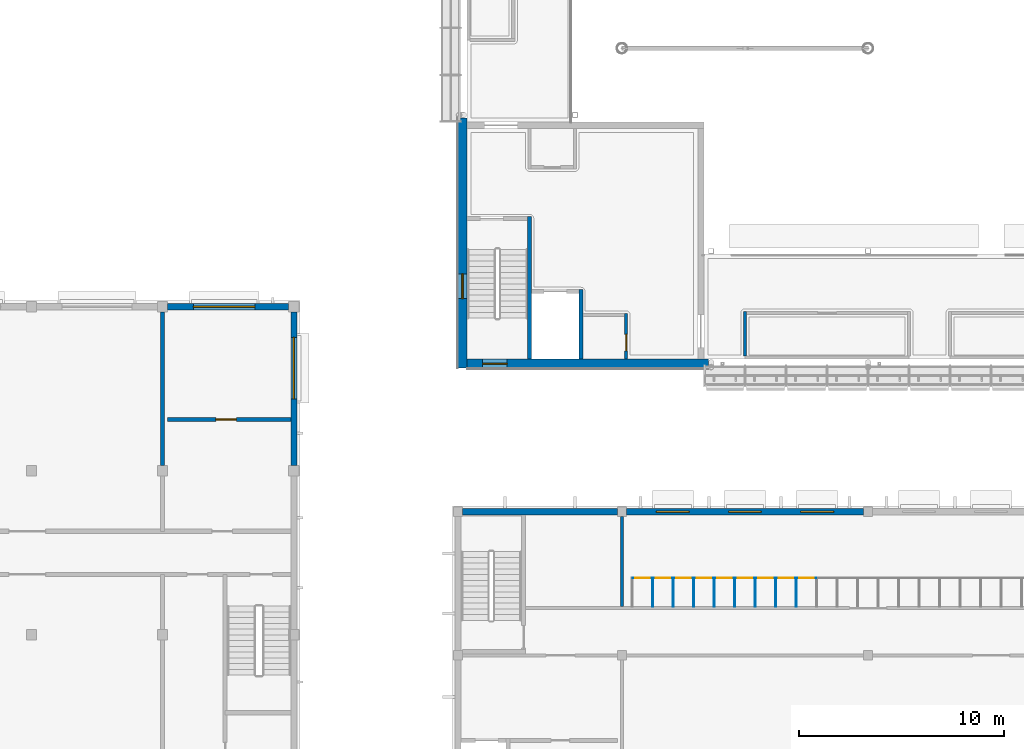
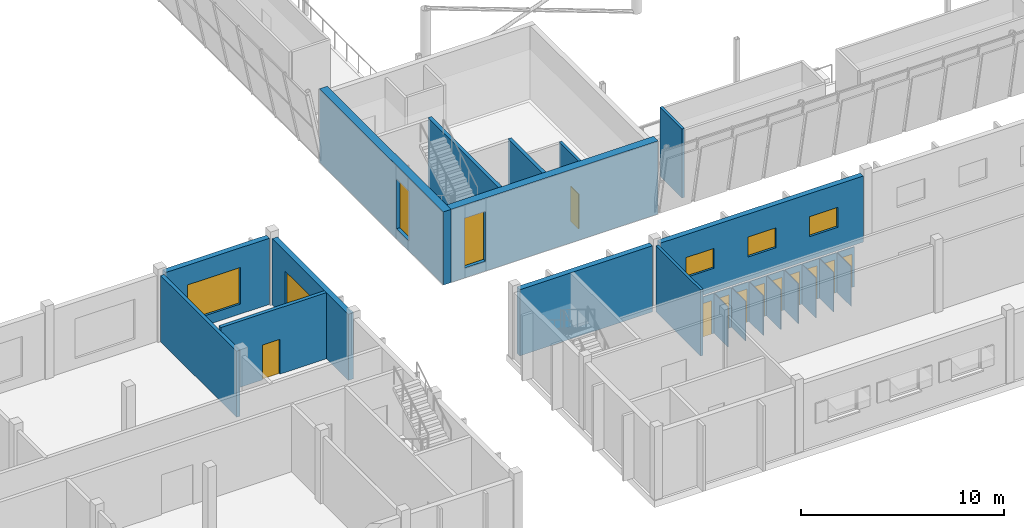
# One storey, part 61 of 115: 30 walls, 11 doors, 7 windows, 18 openings.
"""IFC4 building model written with IfcOpenShell, lengths in metres."""

from ifc_helpers import new_model, si_unit, direction, frame, frame_2d, origin, place, context, subcontext, project, spatial, rectangle, extrude, material, layer, layer_set, type_object, element, fill, save


model = new_model("IFC4")

# Units and contexts
model_context = context("Model", 3, precision=1e-05, world=origin(), true_north=direction((0.0, 1.0)))
body_context = subcontext(model_context, "Body", "Model", "MODEL_VIEW")
ifc_project = project(units=[si_unit("LENGTHUNIT", "METRE"), si_unit("AREAUNIT", "SQUARE_METRE"), si_unit("VOLUMEUNIT", "CUBIC_METRE"), si_unit("PLANEANGLEUNIT", "RADIAN"), si_unit("MASSUNIT", "GRAM", prefix="KILO")], contexts=[model_context])

# Site, building, storey
site_placement = place(None, origin())
site = spatial("IfcSite", under=ifc_project, at=site_placement, CompositionType="ELEMENT")
building_placement = place(site_placement, origin())
building = spatial("IfcBuilding", under=site, at=building_placement, Name="Windward Yard Aquatics Centre", CompositionType="ELEMENT")
storey_placement = place(building_placement, frame((0.0, 0.0, 5.0)))
storey = spatial("IfcBuildingStorey", under=building, at=storey_placement, Name="L01", CompositionType="ELEMENT", Elevation=5.0)

# Walls
ifc_material_1 = material(Name="Concrete masonry unit plastered", Category="masonry")
ifc_layer_1 = layer(ifc_material_1, 0.14990234375)
ifc_layer_set_1 = layer_set([ifc_layer_1], Name="C block partition 150")
wall_type_1 = type_object("IfcWallType", Name="C block partition 150", PredefinedType="PARTITIONING", material=ifc_layer_set_1)
wall_1_placement = place(storey_placement, frame((60.0, 14.375, 0.0), z_axis=(0.0, 0.0, 1.0), x_axis=(0.0, 1.0, 0.0)))
element("IfcWall", 1, at=wall_1_placement, inside=storey, type_object=wall_type_1, Name="C.W.L01.ND.8.1", PredefinedType="PARTITIONING", context=body_context, shape_type="SweptSolid", body=[
    extrude(rectangle(XDim=4.39990234375, YDim=0.14990234375, at=frame_2d((2.199951171875, 0.0))), origin(), (0.0, 0.0, 1.0), 3.97998046875),
])
ifc_material_2 = material(Name="High-pressure laminate panel on stainless frame")
ifc_layer_2 = layer(ifc_material_2, 0.0400390625)
ifc_layer_set_2 = layer_set([ifc_layer_2], Name="C cubicle panel 40")
wall_type_2 = type_object("IfcWallType", Name="C cubicle panel 40", PredefinedType="PARTITIONING", material=ifc_layer_set_2)
for number, where, z_axis, x_axis, name in (
    (2, (61.5, 14.375, 0.0), (0.0, 0.0, 1.0), (0.0, 1.0, 0.0), "C.W.L01.E.P1"),
    (3, (62.5, 14.375, 0.0), (0.0, 0.0, 1.0), (0.0, 1.0, 0.0), "C.W.L01.E.P2"),
    (4, (63.5, 14.375, 0.0), (0.0, 0.0, 1.0), (0.0, 1.0, 0.0), "C.W.L01.E.P3"),
    (5, (64.5, 14.375, 0.0), (0.0, 0.0, 1.0), (0.0, 1.0, 0.0), "C.W.L01.E.P4"),
    (6, (65.5, 14.375, 0.0), (0.0, 0.0, 1.0), (0.0, 1.0, 0.0), "C.W.L01.E.P5"),
    (7, (66.5, 14.375, 0.0), (0.0, 0.0, 1.0), (0.0, 1.0, 0.0), "C.W.L01.E.P6"),
    (8, (67.5, 14.375, 0.0), (0.0, 0.0, 1.0), (0.0, 1.0, 0.0), "C.W.L01.E.P7"),
    (9, (68.5, 14.375, 0.0), (0.0, 0.0, 1.0), (0.0, 1.0, 0.0), "C.W.L01.E.P8"),
):
    element("IfcWall", number, at=place(storey_placement, frame(where, z_axis=z_axis, x_axis=x_axis)), inside=storey, type_object=wall_type_2, Name=name, PredefinedType="PARTITIONING", context=body_context, shape_type="SweptSolid", body=[
        extrude(rectangle(XDim=1.39990234375, YDim=0.0400390625, at=frame_2d((0.699951171875, 0.0))), origin(), (0.0, 0.0, 1.0), 2.39990234375),
    ])

# Wall, opening, door
wall_2_placement = place(storey_placement, frame((60.52001953125, 15.77490234375, 0.0), z_axis=(0.0, 0.0, 1.0), x_axis=(1.0, 0.0, 0.0)))
wall_2 = element("IfcWall", 10, at=wall_2_placement, inside=storey, type_object=wall_type_2, Name="C.W.L01.E.F0", PredefinedType="PARTITIONING", context=body_context, shape_type="SweptSolid", body=[
    extrude(rectangle(XDim=0.9599609375, YDim=0.0400390625, at=frame_2d((0.47998046875, 0.0))), origin(), (0.0, 0.0, 1.0), 2.39990234375),
])
opening_1_placement = place(wall_2_placement, frame((0.1298828125, 0.0, 0.0)))
opening_1 = element("IfcOpeningElement", 11, at=opening_1_placement, cuts=wall_2, Name="Opening C1051", PredefinedType="OPENING", context=body_context, shape_type="SweptSolid", body=[
    extrude(rectangle(XDim=0.699951171875, YDim=2.0, at=frame_2d((0.35009765625, 1.0))), frame((0.0, 0.030029296875, 0.0), z_axis=(0.0, -1.0, 0.0), x_axis=(1.0, 0.0, 0.0)), (0.0, 0.0, 1.0), 0.06005859375),
])
ifc_material_3 = material(Name="High-pressure laminate door leaf")
door_type_1 = type_object("IfcDoorType", Name="C door 700X2000 NOT RATED", OperationType="SINGLE_SWING_LEFT", PredefinedType="DOOR", material=ifc_material_3)
door_1_placement = place(opening_1_placement, origin())
door_1 = element("IfcDoor", 12, at=door_1_placement, inside=storey, type_object=door_type_1, Name="Cubicle door E1", OperationType="SINGLE_SWING_LEFT", OverallHeight=2.0, OverallWidth=0.699951171875, PredefinedType="DOOR", context=body_context, shape_type="SweptSolid", body=[
    extrude(rectangle(XDim=0.699951171875, YDim=2.0, at=frame_2d((0.35009765625, 1.0))), frame((0.0, 0.019775390625, 0.0), z_axis=(0.0, -1.0, 0.0), x_axis=(1.0, 0.0, 0.0)), (0.0, 0.0, 1.0), 0.03955078125),
])
fill(opening_1, door_1)

wall_3_placement = place(storey_placement, frame((61.52001953125, 15.77490234375, 0.0), z_axis=(0.0, 0.0, 1.0), x_axis=(1.0, 0.0, 0.0)))
wall_3 = element("IfcWall", 13, at=wall_3_placement, inside=storey, type_object=wall_type_2, Name="C.W.L01.E.F1", PredefinedType="PARTITIONING", context=body_context, shape_type="SweptSolid", body=[
    extrude(rectangle(XDim=0.9599609375, YDim=0.0400390625, at=frame_2d((0.47998046875, 0.0))), origin(), (0.0, 0.0, 1.0), 2.39990234375),
])
opening_2_placement = place(wall_3_placement, frame((0.1298828125, 0.0, 0.0)))
opening_2 = element("IfcOpeningElement", 14, at=opening_2_placement, cuts=wall_3, Name="Opening C1052", PredefinedType="OPENING", context=body_context, shape_type="SweptSolid", body=[
    extrude(rectangle(XDim=0.699951171875, YDim=2.0, at=frame_2d((0.35009765625, 1.0))), frame((0.0, 0.030029296875, 0.0), z_axis=(0.0, -1.0, 0.0), x_axis=(1.0, 0.0, 0.0)), (0.0, 0.0, 1.0), 0.06005859375),
])
door_2_placement = place(opening_2_placement, origin())
door_2 = element("IfcDoor", 15, at=door_2_placement, inside=storey, type_object=door_type_1, Name="Cubicle door E2", OperationType="SINGLE_SWING_LEFT", OverallHeight=2.0, OverallWidth=0.699951171875, PredefinedType="DOOR", context=body_context, shape_type="SweptSolid", body=[
    extrude(rectangle(XDim=0.699951171875, YDim=2.0, at=frame_2d((0.35009765625, 1.0))), frame((0.0, 0.019775390625, 0.0), z_axis=(0.0, -1.0, 0.0), x_axis=(1.0, 0.0, 0.0)), (0.0, 0.0, 1.0), 0.03955078125),
])
fill(opening_2, door_2)

wall_4_placement = place(storey_placement, frame((62.52001953125, 15.77490234375, 0.0), z_axis=(0.0, 0.0, 1.0), x_axis=(1.0, 0.0, 0.0)))
wall_4 = element("IfcWall", 16, at=wall_4_placement, inside=storey, type_object=wall_type_2, Name="C.W.L01.E.F2", PredefinedType="PARTITIONING", context=body_context, shape_type="SweptSolid", body=[
    extrude(rectangle(XDim=0.9599609375, YDim=0.0400390625, at=frame_2d((0.47998046875, 0.0))), origin(), (0.0, 0.0, 1.0), 2.39990234375),
])
opening_3_placement = place(wall_4_placement, frame((0.1298828125, 0.0, 0.0)))
opening_3 = element("IfcOpeningElement", 17, at=opening_3_placement, cuts=wall_4, Name="Opening C1053", PredefinedType="OPENING", context=body_context, shape_type="SweptSolid", body=[
    extrude(rectangle(XDim=0.699951171875, YDim=2.0, at=frame_2d((0.35009765625, 1.0))), frame((0.0, 0.030029296875, 0.0), z_axis=(0.0, -1.0, 0.0), x_axis=(1.0, 0.0, 0.0)), (0.0, 0.0, 1.0), 0.06005859375),
])
door_3_placement = place(opening_3_placement, origin())
door_3 = element("IfcDoor", 18, at=door_3_placement, inside=storey, type_object=door_type_1, Name="Cubicle door E3", OperationType="SINGLE_SWING_LEFT", OverallHeight=2.0, OverallWidth=0.699951171875, PredefinedType="DOOR", context=body_context, shape_type="SweptSolid", body=[
    extrude(rectangle(XDim=0.699951171875, YDim=2.0, at=frame_2d((0.35009765625, 1.0))), frame((0.0, 0.019775390625, 0.0), z_axis=(0.0, -1.0, 0.0), x_axis=(1.0, 0.0, 0.0)), (0.0, 0.0, 1.0), 0.03955078125),
])
fill(opening_3, door_3)

wall_5_placement = place(storey_placement, frame((63.52001953125, 15.77490234375, 0.0), z_axis=(0.0, 0.0, 1.0), x_axis=(1.0, 0.0, 0.0)))
wall_5 = element("IfcWall", 19, at=wall_5_placement, inside=storey, type_object=wall_type_2, Name="C.W.L01.E.F3", PredefinedType="PARTITIONING", context=body_context, shape_type="SweptSolid", body=[
    extrude(rectangle(XDim=0.9599609375, YDim=0.0400390625, at=frame_2d((0.47998046875, 0.0))), origin(), (0.0, 0.0, 1.0), 2.39990234375),
])
opening_4_placement = place(wall_5_placement, frame((0.1298828125, 0.0, 0.0)))
opening_4 = element("IfcOpeningElement", 20, at=opening_4_placement, cuts=wall_5, Name="Opening C1054", PredefinedType="OPENING", context=body_context, shape_type="SweptSolid", body=[
    extrude(rectangle(XDim=0.699951171875, YDim=2.0, at=frame_2d((0.35009765625, 1.0))), frame((0.0, 0.030029296875, 0.0), z_axis=(0.0, -1.0, 0.0), x_axis=(1.0, 0.0, 0.0)), (0.0, 0.0, 1.0), 0.06005859375),
])
door_4_placement = place(opening_4_placement, origin())
door_4 = element("IfcDoor", 21, at=door_4_placement, inside=storey, type_object=door_type_1, Name="Cubicle door E4", OperationType="SINGLE_SWING_LEFT", OverallHeight=2.0, OverallWidth=0.699951171875, PredefinedType="DOOR", context=body_context, shape_type="SweptSolid", body=[
    extrude(rectangle(XDim=0.699951171875, YDim=2.0, at=frame_2d((0.35009765625, 1.0))), frame((0.0, 0.019775390625, 0.0), z_axis=(0.0, -1.0, 0.0), x_axis=(1.0, 0.0, 0.0)), (0.0, 0.0, 1.0), 0.03955078125),
])
fill(opening_4, door_4)

wall_6_placement = place(storey_placement, frame((64.52001953125, 15.77490234375, 0.0), z_axis=(0.0, 0.0, 1.0), x_axis=(1.0, 0.0, 0.0)))
wall_6 = element("IfcWall", 22, at=wall_6_placement, inside=storey, type_object=wall_type_2, Name="C.W.L01.E.F4", PredefinedType="PARTITIONING", context=body_context, shape_type="SweptSolid", body=[
    extrude(rectangle(XDim=0.9599609375, YDim=0.0400390625, at=frame_2d((0.47998046875, 0.0))), origin(), (0.0, 0.0, 1.0), 2.39990234375),
])
opening_5_placement = place(wall_6_placement, frame((0.1298828125, 0.0, 0.0)))
opening_5 = element("IfcOpeningElement", 23, at=opening_5_placement, cuts=wall_6, Name="Opening C1055", PredefinedType="OPENING", context=body_context, shape_type="SweptSolid", body=[
    extrude(rectangle(XDim=0.699951171875, YDim=2.0, at=frame_2d((0.35009765625, 1.0))), frame((0.0, 0.030029296875, 0.0), z_axis=(0.0, -1.0, 0.0), x_axis=(1.0, 0.0, 0.0)), (0.0, 0.0, 1.0), 0.06005859375),
])
door_5_placement = place(opening_5_placement, origin())
door_5 = element("IfcDoor", 24, at=door_5_placement, inside=storey, type_object=door_type_1, Name="Cubicle door E5", OperationType="SINGLE_SWING_LEFT", OverallHeight=2.0, OverallWidth=0.699951171875, PredefinedType="DOOR", context=body_context, shape_type="SweptSolid", body=[
    extrude(rectangle(XDim=0.699951171875, YDim=2.0, at=frame_2d((0.35009765625, 1.0))), frame((0.0, 0.019775390625, 0.0), z_axis=(0.0, -1.0, 0.0), x_axis=(1.0, 0.0, 0.0)), (0.0, 0.0, 1.0), 0.03955078125),
])
fill(opening_5, door_5)

wall_7_placement = place(storey_placement, frame((65.52001953125, 15.77490234375, 0.0), z_axis=(0.0, 0.0, 1.0), x_axis=(1.0, 0.0, 0.0)))
wall_7 = element("IfcWall", 25, at=wall_7_placement, inside=storey, type_object=wall_type_2, Name="C.W.L01.E.F5", PredefinedType="PARTITIONING", context=body_context, shape_type="SweptSolid", body=[
    extrude(rectangle(XDim=0.9599609375, YDim=0.0400390625, at=frame_2d((0.47998046875, 0.0))), origin(), (0.0, 0.0, 1.0), 2.39990234375),
])
opening_6_placement = place(wall_7_placement, frame((0.1298828125, 0.0, 0.0)))
opening_6 = element("IfcOpeningElement", 26, at=opening_6_placement, cuts=wall_7, Name="Opening C1056", PredefinedType="OPENING", context=body_context, shape_type="SweptSolid", body=[
    extrude(rectangle(XDim=0.699951171875, YDim=2.0, at=frame_2d((0.35009765625, 1.0))), frame((0.0, 0.030029296875, 0.0), z_axis=(0.0, -1.0, 0.0), x_axis=(1.0, 0.0, 0.0)), (0.0, 0.0, 1.0), 0.06005859375),
])
door_6_placement = place(opening_6_placement, origin())
door_6 = element("IfcDoor", 27, at=door_6_placement, inside=storey, type_object=door_type_1, Name="Cubicle door E6", OperationType="SINGLE_SWING_LEFT", OverallHeight=2.0, OverallWidth=0.699951171875, PredefinedType="DOOR", context=body_context, shape_type="SweptSolid", body=[
    extrude(rectangle(XDim=0.699951171875, YDim=2.0, at=frame_2d((0.35009765625, 1.0))), frame((0.0, 0.019775390625, 0.0), z_axis=(0.0, -1.0, 0.0), x_axis=(1.0, 0.0, 0.0)), (0.0, 0.0, 1.0), 0.03955078125),
])
fill(opening_6, door_6)

wall_8_placement = place(storey_placement, frame((66.52001953125, 15.77490234375, 0.0), z_axis=(0.0, 0.0, 1.0), x_axis=(1.0, 0.0, 0.0)))
wall_8 = element("IfcWall", 28, at=wall_8_placement, inside=storey, type_object=wall_type_2, Name="C.W.L01.E.F6", PredefinedType="PARTITIONING", context=body_context, shape_type="SweptSolid", body=[
    extrude(rectangle(XDim=0.9599609375, YDim=0.0400390625, at=frame_2d((0.47998046875, 0.0))), origin(), (0.0, 0.0, 1.0), 2.39990234375),
])
opening_7_placement = place(wall_8_placement, frame((0.1298828125, 0.0, 0.0)))
opening_7 = element("IfcOpeningElement", 29, at=opening_7_placement, cuts=wall_8, Name="Opening C1057", PredefinedType="OPENING", context=body_context, shape_type="SweptSolid", body=[
    extrude(rectangle(XDim=0.699951171875, YDim=2.0, at=frame_2d((0.35009765625, 1.0))), frame((0.0, 0.030029296875, 0.0), z_axis=(0.0, -1.0, 0.0), x_axis=(1.0, 0.0, 0.0)), (0.0, 0.0, 1.0), 0.06005859375),
])
door_7_placement = place(opening_7_placement, origin())
door_7 = element("IfcDoor", 30, at=door_7_placement, inside=storey, type_object=door_type_1, Name="Cubicle door E7", OperationType="SINGLE_SWING_LEFT", OverallHeight=2.0, OverallWidth=0.699951171875, PredefinedType="DOOR", context=body_context, shape_type="SweptSolid", body=[
    extrude(rectangle(XDim=0.699951171875, YDim=2.0, at=frame_2d((0.35009765625, 1.0))), frame((0.0, 0.019775390625, 0.0), z_axis=(0.0, -1.0, 0.0), x_axis=(1.0, 0.0, 0.0)), (0.0, 0.0, 1.0), 0.03955078125),
])
fill(opening_7, door_7)

wall_9_placement = place(storey_placement, frame((67.52001953125, 15.77490234375, 0.0), z_axis=(0.0, 0.0, 1.0), x_axis=(1.0, 0.0, 0.0)))
wall_9 = element("IfcWall", 31, at=wall_9_placement, inside=storey, type_object=wall_type_2, Name="C.W.L01.E.F7", PredefinedType="PARTITIONING", context=body_context, shape_type="SweptSolid", body=[
    extrude(rectangle(XDim=0.9599609375, YDim=0.0400390625, at=frame_2d((0.47998046875, 0.0))), origin(), (0.0, 0.0, 1.0), 2.39990234375),
])
opening_8_placement = place(wall_9_placement, frame((0.1298828125, 0.0, 0.0)))
opening_8 = element("IfcOpeningElement", 32, at=opening_8_placement, cuts=wall_9, Name="Opening C1058", PredefinedType="OPENING", context=body_context, shape_type="SweptSolid", body=[
    extrude(rectangle(XDim=0.699951171875, YDim=2.0, at=frame_2d((0.35009765625, 1.0))), frame((0.0, 0.030029296875, 0.0), z_axis=(0.0, -1.0, 0.0), x_axis=(1.0, 0.0, 0.0)), (0.0, 0.0, 1.0), 0.06005859375),
])
door_8_placement = place(opening_8_placement, origin())
door_8 = element("IfcDoor", 33, at=door_8_placement, inside=storey, type_object=door_type_1, Name="Cubicle door E8", OperationType="SINGLE_SWING_LEFT", OverallHeight=2.0, OverallWidth=0.699951171875, PredefinedType="DOOR", context=body_context, shape_type="SweptSolid", body=[
    extrude(rectangle(XDim=0.699951171875, YDim=2.0, at=frame_2d((0.35009765625, 1.0))), frame((0.0, 0.019775390625, 0.0), z_axis=(0.0, -1.0, 0.0), x_axis=(1.0, 0.0, 0.0)), (0.0, 0.0, 1.0), 0.03955078125),
])
fill(opening_8, door_8)

wall_10_placement = place(storey_placement, frame((68.52001953125, 15.77490234375, 0.0), z_axis=(0.0, 0.0, 1.0), x_axis=(1.0, 0.0, 0.0)))
wall_10 = element("IfcWall", 34, at=wall_10_placement, inside=storey, type_object=wall_type_2, Name="C.W.L01.E.F8", PredefinedType="PARTITIONING", context=body_context, shape_type="SweptSolid", body=[
    extrude(rectangle(XDim=0.9599609375, YDim=0.0400390625, at=frame_2d((0.47998046875, 0.0))), origin(), (0.0, 0.0, 1.0), 2.39990234375),
])
opening_9_placement = place(wall_10_placement, frame((0.1298828125, 0.0, 0.0)))
opening_9 = element("IfcOpeningElement", 35, at=opening_9_placement, cuts=wall_10, Name="Opening C1059", PredefinedType="OPENING", context=body_context, shape_type="SweptSolid", body=[
    extrude(rectangle(XDim=0.699951171875, YDim=2.0, at=frame_2d((0.35009765625, 1.0))), frame((0.0, 0.030029296875, 0.0), z_axis=(0.0, -1.0, 0.0), x_axis=(1.0, 0.0, 0.0)), (0.0, 0.0, 1.0), 0.06005859375),
])
door_9_placement = place(opening_9_placement, origin())
door_9 = element("IfcDoor", 36, at=door_9_placement, inside=storey, type_object=door_type_1, Name="Cubicle door E9", OperationType="SINGLE_SWING_LEFT", OverallHeight=2.0, OverallWidth=0.699951171875, PredefinedType="DOOR", context=body_context, shape_type="SweptSolid", body=[
    extrude(rectangle(XDim=0.699951171875, YDim=2.0, at=frame_2d((0.35009765625, 1.0))), frame((0.0, 0.019775390625, 0.0), z_axis=(0.0, -1.0, 0.0), x_axis=(1.0, 0.0, 0.0)), (0.0, 0.0, 1.0), 0.03955078125),
])
fill(opening_9, door_9)

# Wall
ifc_material_4 = material(Name="Natural stone cladding", Category="masonry")
ifc_layer_3 = layer(ifc_material_4, 0.04, Name="Cladding")
ifc_material_5 = material(Name="Ventilated air cavity")
ifc_layer_4 = layer(ifc_material_5, 0.04, ventilated=True, Name="Ventilated cavity")
ifc_material_6 = material(Name="Mineral wool insulation")
ifc_layer_5 = layer(ifc_material_6, 0.06, Name="Insulation")
ifc_material_7 = material(Name="Concrete C35/45", Category="concrete")
ifc_layer_6 = layer(ifc_material_7, 0.16, Name="Structure")
ifc_layer_set_3 = layer_set([ifc_layer_3, ifc_layer_4, ifc_layer_5, ifc_layer_6], Name="C stone-faced external wall 300")
wall_type_3 = type_object("IfcWallType", Name="C stone-faced external wall 300", PredefinedType="ELEMENTEDWALL", material=ifc_layer_set_3)
wall_11_placement = place(storey_placement, frame((52.22509765625, 19.0, 0.0), z_axis=(0.0, 0.0, 1.0), x_axis=(1.0, 0.0, 0.0)))
element("IfcWall", 37, at=wall_11_placement, inside=storey, type_object=wall_type_3, Name="C.W.L01.N1", PredefinedType="ELEMENTEDWALL", context=body_context, shape_type="SweptSolid", body=[
    extrude(rectangle(XDim=7.5498046875, YDim=0.300048828125, at=frame_2d((3.77490234375, 0.0))), origin(), (0.0, 0.0, 1.0), 3.97998046875),
])

# Wall, openings, windows
wall_12_placement = place(storey_placement, frame((60.22509765625, 19.0, 0.0), z_axis=(0.0, 0.0, 1.0), x_axis=(1.0, 0.0, 0.0)))
wall_12 = element("IfcWall", 38, at=wall_12_placement, inside=storey, type_object=wall_type_3, Name="C.W.L01.N2", PredefinedType="ELEMENTEDWALL", context=body_context, shape_type="SweptSolid", body=[
    extrude(rectangle(XDim=11.5498046875, YDim=0.300048828125, at=frame_2d((5.77490234375, 0.0))), origin(), (0.0, 0.0, 1.0), 3.97998046875),
])
opening_10_placement = place(wall_12_placement, frame((1.458251953125, 0.0, 1.39990234375)))
opening_10 = element("IfcOpeningElement", 39, at=opening_10_placement, cuts=wall_12, Name="Opening CW1022", PredefinedType="OPENING", context=body_context, shape_type="SweptSolid", body=[
    extrude(rectangle(XDim=1.60009765625, YDim=1.199951171875, at=frame_2d((0.800048828125, 0.60009765625))), frame((0.0, 0.16015625, 0.0), z_axis=(0.0, -1.0, 0.0), x_axis=(1.0, 0.0, 0.0)), (0.0, 0.0, 1.0), 0.320068359375),
])
opening_11_placement = place(wall_12_placement, frame((4.97509765625, 0.0, 1.39990234375)))
opening_11 = element("IfcOpeningElement", 40, at=opening_11_placement, cuts=wall_12, Name="Opening CW1023", PredefinedType="OPENING", context=body_context, shape_type="SweptSolid", body=[
    extrude(rectangle(XDim=1.60009765625, YDim=1.199951171875, at=frame_2d((0.800048828125, 0.60009765625))), frame((0.0, 0.16015625, 0.0), z_axis=(0.0, -1.0, 0.0), x_axis=(1.0, 0.0, 0.0)), (0.0, 0.0, 1.0), 0.320068359375),
])
opening_12_placement = place(wall_12_placement, frame((8.49169921875, 0.0, 1.39990234375)))
opening_12 = element("IfcOpeningElement", 41, at=opening_12_placement, cuts=wall_12, Name="Opening CW1024", PredefinedType="OPENING", context=body_context, shape_type="SweptSolid", body=[
    extrude(rectangle(XDim=1.60009765625, YDim=1.199951171875, at=frame_2d((0.800048828125, 0.60009765625))), frame((0.0, 0.16015625, 0.0), z_axis=(0.0, -1.0, 0.0), x_axis=(1.0, 0.0, 0.0)), (0.0, 0.0, 1.0), 0.320068359375),
])
ifc_material_8 = material(Name="Aluminium framed double glazing", Category="aluminium")
window_type_1 = type_object("IfcWindowType", Name="C window 1600X1200", PartitioningType="SINGLE_PANEL", PredefinedType="WINDOW", material=ifc_material_8)
window_1_placement = place(opening_10_placement, origin())
window_1 = element("IfcWindow", 42, at=window_1_placement, inside=storey, type_object=window_type_1, Name="Window CW1022", OverallHeight=1.199951171875, OverallWidth=1.60009765625, PartitioningType="SINGLE_PANEL", PredefinedType="WINDOW", context=body_context, shape_type="SweptSolid", body=[
    extrude(rectangle(XDim=1.60009765625, YDim=1.199951171875, at=frame_2d((0.800048828125, 0.60009765625))), frame((0.0, 0.030029296875, 0.0), z_axis=(0.0, -1.0, 0.0), x_axis=(1.0, 0.0, 0.0)), (0.0, 0.0, 1.0), 0.06005859375),
])
fill(opening_10, window_1)
window_2_placement = place(opening_11_placement, origin())
window_2 = element("IfcWindow", 43, at=window_2_placement, inside=storey, type_object=window_type_1, Name="Window CW1023", OverallHeight=1.199951171875, OverallWidth=1.60009765625, PartitioningType="SINGLE_PANEL", PredefinedType="WINDOW", context=body_context, shape_type="SweptSolid", body=[
    extrude(rectangle(XDim=1.60009765625, YDim=1.199951171875, at=frame_2d((0.800048828125, 0.60009765625))), frame((0.0, 0.030029296875, 0.0), z_axis=(0.0, -1.0, 0.0), x_axis=(1.0, 0.0, 0.0)), (0.0, 0.0, 1.0), 0.06005859375),
])
fill(opening_11, window_2)
window_3_placement = place(opening_12_placement, origin())
window_3 = element("IfcWindow", 44, at=window_3_placement, inside=storey, type_object=window_type_1, Name="Window CW1024", OverallHeight=1.199951171875, OverallWidth=1.60009765625, PartitioningType="SINGLE_PANEL", PredefinedType="WINDOW", context=body_context, shape_type="SweptSolid", body=[
    extrude(rectangle(XDim=1.60009765625, YDim=1.199951171875, at=frame_2d((0.800048828125, 0.60009765625))), frame((0.0, 0.030029296875, 0.0), z_axis=(0.0, -1.0, 0.0), x_axis=(1.0, 0.0, 0.0)), (0.0, 0.0, 1.0), 0.06005859375),
])
fill(opening_12, window_3)

# Walls
ifc_layer_7 = layer(ifc_material_7, 0.199951171875)
ifc_layer_set_4 = layer_set([ifc_layer_7], Name="H Enclosure Wall Concrete C35/45 200")
wall_type_4 = type_object("IfcWallType", Name="H Enclosure Wall Concrete C35/45 200", PredefinedType="SOLIDWALL", material=ifc_layer_set_4)
wall_13_placement = place(storey_placement, frame((55.5, 26.449951171875, 0.0), z_axis=(0.0, 0.0, 1.0), x_axis=(0.0, 1.0, 0.0)))
element("IfcWall", 45, at=wall_13_placement, inside=storey, type_object=wall_type_4, Name="L01 W1 enclosure wall SW", PredefinedType="SOLIDWALL", context=body_context, shape_type="SweptSolid", body=[
    extrude(rectangle(XDim=6.949951171875, YDim=0.199951171875, at=frame_2d((3.47509765625, 0.0))), origin(), (0.0, 0.0, 1.0), 4.39990234375),
])
wall_14_placement = place(storey_placement, frame((58.0, 26.449951171875, 0.0), z_axis=(0.0, 0.0, 1.0), x_axis=(0.0, 1.0, 0.0)))
element("IfcWall", 46, at=wall_14_placement, inside=storey, type_object=wall_type_4, Name="L01 W3 enclosure wall SW", PredefinedType="SOLIDWALL", context=body_context, shape_type="SweptSolid", body=[
    extrude(rectangle(XDim=3.400146484375, YDim=0.199951171875, at=frame_2d((1.7001953125, 0.0))), origin(), (0.0, 0.0, 1.0), 4.39990234375),
])

# Wall, opening, door
ifc_material_9 = material(Name="Blockwork 150 mm", Category="masonry")
ifc_layer_8 = layer(ifc_material_9, 0.14990234375)
ifc_layer_set_5 = layer_set([ifc_layer_8], Name="H Partition Blockwork 150")
wall_type_5 = type_object("IfcWallType", Name="H Partition Blockwork 150", PredefinedType="PARTITIONING", material=ifc_layer_set_5)
wall_15_placement = place(storey_placement, frame((60.199951171875, 26.449951171875, 0.0), z_axis=(0.0, 0.0, 1.0), x_axis=(0.0, 1.0, 0.0)))
wall_15 = element("IfcWall", 47, at=wall_15_placement, inside=storey, type_object=wall_type_5, Name="L01 R1E riser wall SW", PredefinedType="PARTITIONING", context=body_context, shape_type="SweptSolid", body=[
    extrude(rectangle(XDim=2.22509765625, YDim=0.14990234375, at=frame_2d((1.112548828125, 0.0))), origin(), (0.0, 0.0, 1.0), 4.14990234375),
])
opening_13_placement = place(wall_15_placement, frame((0.39990234375, 0.0, 0.0)))
opening_13 = element("IfcOpeningElement", 48, at=opening_13_placement, cuts=wall_15, Name="Opening H1003", PredefinedType="OPENING", context=body_context, shape_type="SweptSolid", body=[
    extrude(rectangle(XDim=0.800048828125, YDim=2.10009765625, at=frame_2d((0.39990234375, 1.050048828125))), frame((0.0, 0.0849609375, 0.0), z_axis=(0.0, -1.0, 0.0), x_axis=(1.0, 0.0, 0.0)), (0.0, 0.0, 1.0), 0.169921875),
])
ifc_material_10 = material(Name="Steel and timber door leaf", Category="steel")
door_type_2 = type_object("IfcDoorType", Name="H Door Riser 800 x 2100 FD60", OperationType="NOTDEFINED", PredefinedType="DOOR", material=ifc_material_10)
door_10_placement = place(opening_13_placement, origin())
door_10 = element("IfcDoor", 49, at=door_10_placement, inside=storey, type_object=door_type_2, Name="L01 electrical riser SW door", OperationType="SINGLE_SWING_LEFT", OverallHeight=2.10009765625, OverallWidth=0.800048828125, PredefinedType="DOOR", context=body_context, shape_type="SweptSolid", body=[
    extrude(rectangle(XDim=0.800048828125, YDim=2.10009765625, at=frame_2d((0.39990234375, 1.050048828125))), frame((0.0, 0.02490234375, 0.0), z_axis=(0.0, -1.0, 0.0), x_axis=(1.0, 0.0, 0.0)), (0.0, 0.0, 1.0), 0.050048828125),
])
fill(opening_13, door_10)

# Wall
wall_16_placement = place(storey_placement, frame((66.0, 26.60009765625, 0.0), z_axis=(0.0, 0.0, 1.0), x_axis=(0.0, 1.0, 0.0)))
element("IfcWall", 50, at=wall_16_placement, inside=storey, type_object=wall_type_5, Name="L01 partition Kiosk", PredefinedType="PARTITIONING", context=body_context, shape_type="SweptSolid", body=[
    extrude(rectangle(XDim=2.1748046875, YDim=0.14990234375, at=frame_2d((1.08740234375, 0.0))), origin(), (0.0, 0.0, 1.0), 4.14990234375),
])

# Wall, opening, window
ifc_layer_9 = layer(ifc_material_4, 0.04, Name="Cladding")
ifc_layer_10 = layer(ifc_material_5, 0.05, ventilated=True, Name="Ventilated cavity")
ifc_layer_11 = layer(ifc_material_6, 0.08, Name="Insulation")
ifc_layer_12 = layer(ifc_material_7, 0.28, Name="Structure")
ifc_layer_set_6 = layer_set([ifc_layer_9, ifc_layer_10, ifc_layer_11, ifc_layer_12], Name="H plinth wall stone faced 450 C35/45")
wall_type_6 = type_object("IfcWallType", Name="H plinth wall stone faced 450 C35/45", PredefinedType="ELEMENTEDWALL", material=ifc_layer_set_6)
wall_17_placement = place(storey_placement, frame((52.22509765625, 26.0, 0.0), z_axis=(0.0, 0.0, 1.0), x_axis=(0.0, 1.0, 0.0)))
wall_17 = element("IfcWall", 51, at=wall_17_placement, inside=storey, type_object=wall_type_6, Name="H.CW.SW.W.L01", PredefinedType="ELEMENTEDWALL", context=body_context, shape_type="SweptSolid", body=[
    extrude(rectangle(XDim=12.214111328125, YDim=0.449951171875, at=frame_2d((6.10693359375, 0.0))), origin(), (0.0, 0.0, 1.0), 4.39990234375),
])
opening_14_placement = place(wall_17_placement, frame((3.39990234375, 0.0, 0.60009765625)))
opening_14 = element("IfcOpeningElement", 52, at=opening_14_placement, cuts=wall_17, Name="Opening W1077", PredefinedType="OPENING", context=body_context, shape_type="SweptSolid", body=[
    extrude(rectangle(XDim=1.199951171875, YDim=3.0, at=frame_2d((0.60009765625, 1.5))), frame((0.0, 0.23486328125, 0.0), z_axis=(0.0, -1.0, 0.0), x_axis=(1.0, 0.0, 0.0)), (0.0, 0.0, 1.0), 0.469970703125),
])
ifc_material_11 = material(Name="Fire-resisting glazing in steel frame", Category="steel")
window_type_2 = type_object("IfcWindowType", Name="H Core Stair Window 1200 x 3000 EI 60", PartitioningType="SINGLE_PANEL", PredefinedType="WINDOW", material=ifc_material_11)
window_4_placement = place(opening_14_placement, origin())
window_4 = element("IfcWindow", 53, at=window_4_placement, inside=storey, type_object=window_type_2, Name="L01 core SW stair window", OverallHeight=3.0, OverallWidth=1.199951171875, PartitioningType="SINGLE_PANEL", PredefinedType="WINDOW", context=body_context, shape_type="SweptSolid", body=[
    extrude(rectangle(XDim=1.199951171875, YDim=3.0, at=frame_2d((0.60009765625, 1.5))), frame((0.0, 0.030029296875, 0.0), z_axis=(0.0, -1.0, 0.0), x_axis=(1.0, 0.0, 0.0)), (0.0, 0.0, 1.0), 0.06005859375),
])
fill(opening_14, window_4)

wall_18_placement = place(storey_placement, frame((52.449951171875, 26.22509765625, 0.0), z_axis=(0.0, 0.0, 1.0), x_axis=(1.0, 0.0, 0.0)))
wall_18 = element("IfcWall", 54, at=wall_18_placement, inside=storey, type_object=wall_type_6, Name="H.CW.SW.S.L01", PredefinedType="ELEMENTEDWALL", context=body_context, shape_type="SweptSolid", body=[
    extrude(rectangle(XDim=11.76416015625, YDim=0.449951171875, at=frame_2d((5.882080078125, 0.0))), origin(), (0.0, 0.0, 1.0), 4.39990234375),
])
opening_15_placement = place(wall_18_placement, frame((0.75, 0.0, 0.60009765625)))
opening_15 = element("IfcOpeningElement", 55, at=opening_15_placement, cuts=wall_18, Name="Opening W1078", PredefinedType="OPENING", context=body_context, shape_type="SweptSolid", body=[
    extrude(rectangle(XDim=1.199951171875, YDim=3.0, at=frame_2d((0.60009765625, 1.5))), frame((0.0, 0.23486328125, 0.0), z_axis=(0.0, -1.0, 0.0), x_axis=(1.0, 0.0, 0.0)), (0.0, 0.0, 1.0), 0.469970703125),
])
window_5_placement = place(opening_15_placement, origin())
window_5 = element("IfcWindow", 56, at=window_5_placement, inside=storey, type_object=window_type_2, Name="L01 core SW stair window", OverallHeight=3.0, OverallWidth=1.199951171875, PartitioningType="SINGLE_PANEL", PredefinedType="WINDOW", context=body_context, shape_type="SweptSolid", body=[
    extrude(rectangle(XDim=1.199951171875, YDim=3.0, at=frame_2d((0.60009765625, 1.5))), frame((0.0, 0.030029296875, 0.0), z_axis=(0.0, -1.0, 0.0), x_axis=(1.0, 0.0, 0.0)), (0.0, 0.0, 1.0), 0.06005859375),
])
fill(opening_15, window_5)

# Wall, opening, door
ifc_layer_13 = layer(ifc_material_1, 0.199951171875)
ifc_layer_set_7 = layer_set([ifc_layer_13], Name="P masonry partition 200")
wall_type_7 = type_object("IfcWallType", Name="P masonry partition 200", PredefinedType="PARTITIONING", material=ifc_layer_set_7)
wall_19_placement = place(storey_placement, frame((37.85009765625, 23.5, 0.0), z_axis=(0.0, 0.0, 1.0), x_axis=(1.0, 0.0, 0.0)))
wall_19 = element("IfcWall", 57, at=wall_19_placement, inside=storey, type_object=wall_type_7, Name="P.W.L01.H3.1", PredefinedType="PARTITIONING", context=body_context, shape_type="SweptSolid", body=[
    extrude(rectangle(XDim=6.0, YDim=0.199951171875, at=frame_2d((3.0, 0.0))), origin(), (0.0, 0.0, 1.0), 3.97998046875),
])
opening_16_placement = place(wall_19_placement, frame((2.35009765625, 0.0, 0.0)))
opening_16 = element("IfcOpeningElement", 58, at=opening_16_placement, cuts=wall_19, Name="Opening P1010", PredefinedType="OPENING", context=body_context, shape_type="SweptSolid", body=[
    extrude(rectangle(XDim=1.0, YDim=2.10009765625, at=frame_2d((0.5, 1.050048828125))), frame((0.0, 0.10986328125, 0.0), z_axis=(0.0, -1.0, 0.0), x_axis=(1.0, 0.0, 0.0)), (0.0, 0.0, 1.0), 0.219970703125),
])
ifc_material_12 = material(Name="Timber door leaf in steel frame", Category="steel")
door_type_3 = type_object("IfcDoorType", Name="P door 1000X2100 FD60", OperationType="SINGLE_SWING_LEFT", PredefinedType="DOOR", material=ifc_material_12)
door_11_placement = place(opening_16_placement, origin())
door_11 = element("IfcDoor", 59, at=door_11_placement, inside=storey, type_object=door_type_3, Name="Door P1010", OperationType="SINGLE_SWING_LEFT", OverallHeight=2.10009765625, OverallWidth=1.0, PredefinedType="DOOR", context=body_context, shape_type="SweptSolid", body=[
    extrude(rectangle(XDim=1.0, YDim=2.10009765625, at=frame_2d((0.5, 1.050048828125))), frame((0.0, 0.02490234375, 0.0), z_axis=(0.0, -1.0, 0.0), x_axis=(1.0, 0.0, 0.0)), (0.0, 0.0, 1.0), 0.050048828125),
])
fill(opening_16, door_11)

# Wall
wall_20_placement = place(storey_placement, frame((37.60009765625, 21.25, 0.0), z_axis=(0.0, 0.0, 1.0), x_axis=(0.0, 1.0, 0.0)))
element("IfcWall", 60, at=wall_20_placement, inside=storey, type_object=wall_type_7, Name="P.W.L01.V6.2", PredefinedType="PARTITIONING", context=body_context, shape_type="SweptSolid", body=[
    extrude(rectangle(XDim=7.5, YDim=0.199951171875, at=frame_2d((3.75, 0.0))), origin(), (0.0, 0.0, 1.0), 3.97998046875),
])

# Wall, opening, window
ifc_layer_14 = layer(ifc_material_7, 0.300048828125)
ifc_layer_set_8 = layer_set([ifc_layer_14], Name="P plant external wall 300")
wall_type_8 = type_object("IfcWallType", Name="P plant external wall 300", PredefinedType="SOLIDWALL", material=ifc_layer_set_8)
wall_21_placement = place(storey_placement, frame((37.85009765625, 29.0, 0.0), z_axis=(0.0, 0.0, 1.0), x_axis=(1.0, 0.0, 0.0)))
wall_21 = element("IfcWall", 61, at=wall_21_placement, inside=storey, type_object=wall_type_8, Name="P.W.L01.N5", PredefinedType="SOLIDWALL", context=body_context, shape_type="SweptSolid", body=[
    extrude(rectangle(XDim=5.89990234375, YDim=0.300048828125, at=frame_2d((2.949951171875, 0.0))), origin(), (0.0, 0.0, 1.0), 3.97998046875),
])
opening_17_placement = place(wall_21_placement, frame((1.25, 0.0, 0.60009765625)))
opening_17 = element("IfcOpeningElement", 62, at=opening_17_placement, cuts=wall_21, Name="Opening PW1005", PredefinedType="OPENING", context=body_context, shape_type="SweptSolid", body=[
    extrude(rectangle(XDim=3.0, YDim=2.199951171875, at=frame_2d((1.5, 1.10009765625))), frame((0.0, 0.16015625, 0.0), z_axis=(0.0, -1.0, 0.0), x_axis=(1.0, 0.0, 0.0)), (0.0, 0.0, 1.0), 0.320068359375),
])
ifc_material_13 = material(Name="Aluminium storm louvre", Category="aluminium")
window_type_3 = type_object("IfcWindowType", Name="P louvre 3000X2200", PartitioningType="NOTDEFINED", PredefinedType="USERDEFINED", material=ifc_material_13)
window_6_placement = place(opening_17_placement, origin())
window_6 = element("IfcWindow", 63, at=window_6_placement, inside=storey, type_object=window_type_3, Name="Louvre PW1005", ObjectType="STORM LOUVRE", OverallHeight=2.199951171875, OverallWidth=3.0, PartitioningType="SINGLE_PANEL", PredefinedType="USERDEFINED", context=body_context, shape_type="SweptSolid", body=[
    extrude(rectangle(XDim=3.0, YDim=2.199951171875, at=frame_2d((1.5, 1.10009765625))), frame((0.0, 0.030029296875, 0.0), z_axis=(0.0, -1.0, 0.0), x_axis=(1.0, 0.0, 0.0)), (0.0, 0.0, 1.0), 0.06005859375),
])
fill(opening_17, window_6)

wall_22_placement = place(storey_placement, frame((44.0, 21.25, 0.0), z_axis=(0.0, 0.0, 1.0), x_axis=(0.0, 1.0, 0.0)))
wall_22 = element("IfcWall", 64, at=wall_22_placement, inside=storey, type_object=wall_type_8, Name="P.W.L01.E3", PredefinedType="SOLIDWALL", context=body_context, shape_type="SweptSolid", body=[
    extrude(rectangle(XDim=7.5, YDim=0.300048828125, at=frame_2d((3.75, 0.0))), origin(), (0.0, 0.0, 1.0), 3.97998046875),
])
opening_18_placement = place(wall_22_placement, frame((3.25, 0.0, 0.60009765625)))
opening_18 = element("IfcOpeningElement", 65, at=opening_18_placement, cuts=wall_22, Name="Opening PW1006", PredefinedType="OPENING", context=body_context, shape_type="SweptSolid", body=[
    extrude(rectangle(XDim=3.0, YDim=2.199951171875, at=frame_2d((1.5, 1.10009765625))), frame((0.0, 0.16015625, 0.0), z_axis=(0.0, -1.0, 0.0), x_axis=(1.0, 0.0, 0.0)), (0.0, 0.0, 1.0), 0.320068359375),
])
window_7_placement = place(opening_18_placement, origin())
window_7 = element("IfcWindow", 66, at=window_7_placement, inside=storey, type_object=window_type_3, Name="Louvre PW1006", ObjectType="STORM LOUVRE", OverallHeight=2.199951171875, OverallWidth=3.0, PartitioningType="SINGLE_PANEL", PredefinedType="USERDEFINED", context=body_context, shape_type="SweptSolid", body=[
    extrude(rectangle(XDim=3.0, YDim=2.199951171875, at=frame_2d((1.5, 1.10009765625))), frame((0.0, 0.030029296875, 0.0), z_axis=(0.0, -1.0, 0.0), x_axis=(1.0, 0.0, 0.0)), (0.0, 0.0, 1.0), 0.06005859375),
])
fill(opening_18, window_7)

save(model, "model.ifc")
